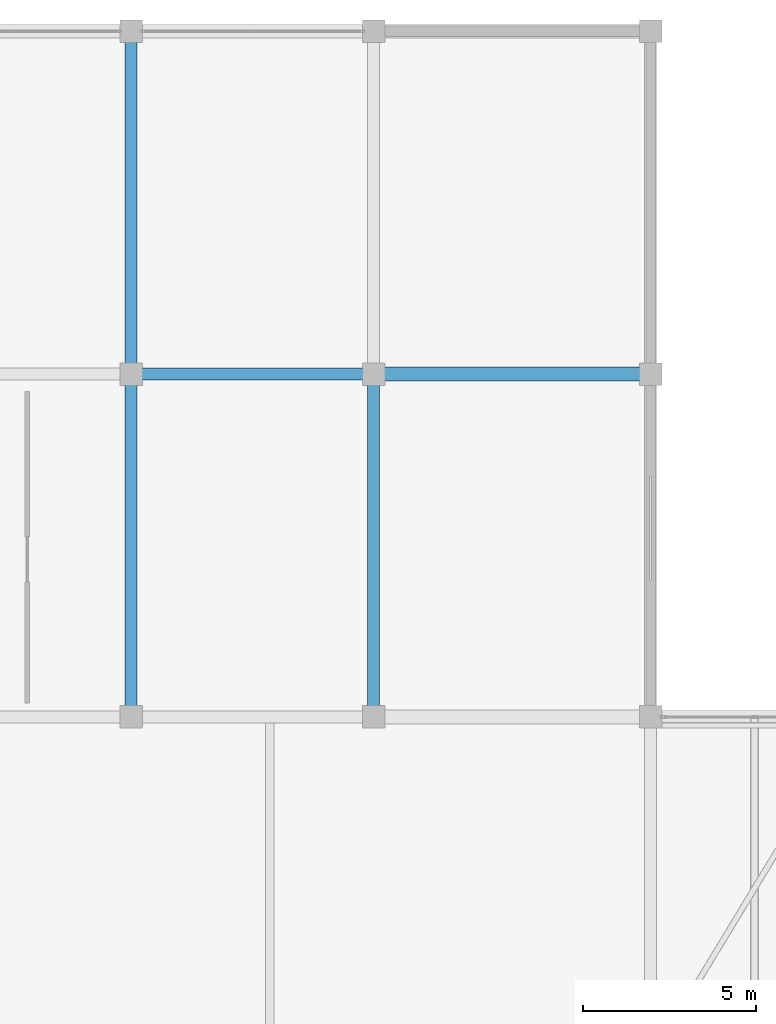
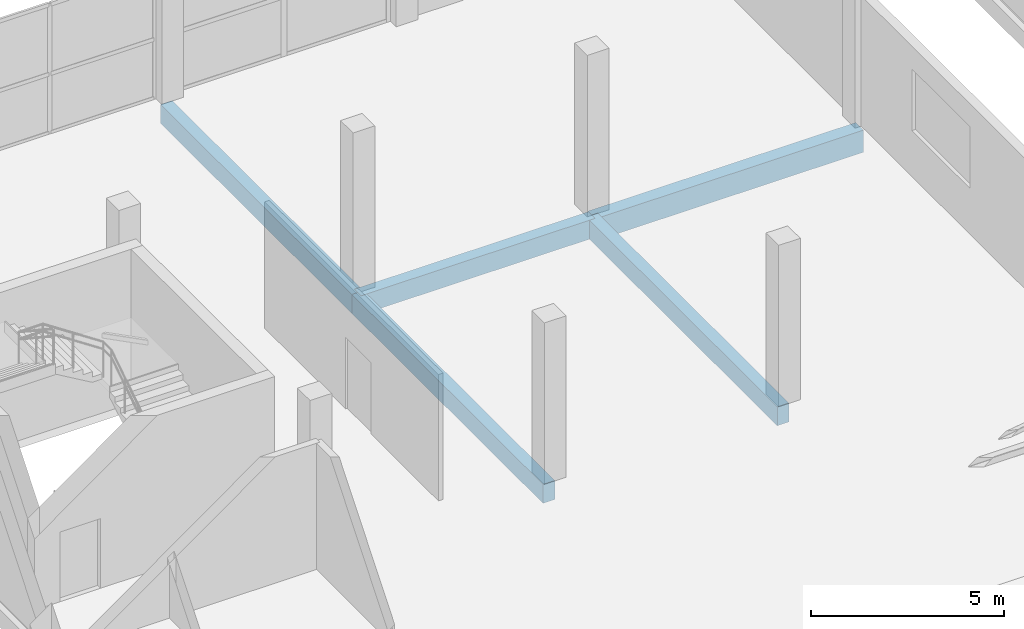
# One storey, part 41 of 66: 5 beams.
"""IFC4 building model written with IfcOpenShell, lengths in metres."""

from ifc_helpers import new_model, si_unit, direction, frame, origin, origin_2d, place, context, subcontext, project, spatial, rectangle, extrude, material, material_profile, profile_set, type_object, element, save


model = new_model("IFC4")

# Units and contexts
model_context = context("Model", 3, precision=1e-05, world=origin(), true_north=direction((0.0, 1.0)))
body_context = subcontext(model_context, "Body", "Model", "MODEL_VIEW")
ifc_project = project(units=[si_unit("LENGTHUNIT", "METRE"), si_unit("AREAUNIT", "SQUARE_METRE"), si_unit("VOLUMEUNIT", "CUBIC_METRE"), si_unit("PLANEANGLEUNIT", "RADIAN"), si_unit("MASSUNIT", "GRAM", prefix="KILO")], contexts=[model_context])

# Site, building, storey
site_placement = place(None, origin())
site = spatial("IfcSite", under=ifc_project, at=site_placement, CompositionType="ELEMENT")
building_placement = place(site_placement, origin())
building = spatial("IfcBuilding", under=site, at=building_placement, Name="Sillaruma Civic Art Gallery", CompositionType="ELEMENT")
storey_placement = place(building_placement, frame((0.0, 0.0, 57.1201171875)))
storey = spatial("IfcBuildingStorey", under=building, at=storey_placement, Name="L11", CompositionType="ELEMENT", Elevation=57.1201171875)

# Beams
ifc_material = material(Name="Concrete H35 (35 MPa)", Category="concrete")
ifc_material_profile_1 = material_profile(ifc_material, rectangle(XDim=0.35009765625, YDim=0.60009765625, at=origin_2d()), Name="RCB350x600")
ifc_profile_set_1 = profile_set([ifc_material_profile_1], Name="Concrete H35 (35 MPa)")
beam_type_1 = type_object("IfcBeamType", Name="BM-BEAM-RCB350x600", PredefinedType="BEAM", material=ifc_profile_set_1)
beam_1_placement = place(storey_placement, frame((77.0, 89.10009765625, -0.550048828125), z_axis=(1.0, 0.0, 0.0), x_axis=(0.0, 1.0, 0.0)))
element("IfcBeam", 1, at=beam_1_placement, inside=storey, type_object=beam_type_1, Name="Beam BM-06 (L10:10:H-J)", PredefinedType="BEAM", context=body_context, shape_type="SweptSolid", body=[
    extrude(rectangle(XDim=0.35009765625, YDim=0.60009765625, at=origin_2d()), origin(), (0.0, 0.0, 1.0), 7.0),
])
beam_2_placement = place(storey_placement, frame((77.0, 79.199951171875, -0.550048828125), z_axis=(0.0, 1.0, 0.0), x_axis=(-1.0, 0.0, 0.0)))
element("IfcBeam", 2, at=beam_2_placement, inside=storey, type_object=beam_type_1, Name="Beam BM-06 (L10:H:9-10)", PredefinedType="BEAM", context=body_context, shape_type="SweptSolid", body=[
    extrude(rectangle(XDim=0.35009765625, YDim=0.60009765625, at=origin_2d()), origin(), (0.0, 0.0, 1.0), 9.900146484375),
])
beam_3_placement = place(storey_placement, frame((77.0, 89.10009765625, -0.550048828125), z_axis=(0.0, 1.0, 0.0), x_axis=(-1.0, 0.0, 0.0)))
element("IfcBeam", 3, at=beam_3_placement, inside=storey, type_object=beam_type_1, Name="Beam BM-06 (L10:H:10-11)", PredefinedType="BEAM", context=body_context, shape_type="SweptSolid", body=[
    extrude(rectangle(XDim=0.35009765625, YDim=0.60009765625, at=origin_2d()), origin(), (0.0, 0.0, 1.0), 9.89990234375),
])
beam_4_placement = place(storey_placement, frame((84.0, 79.199951171875, -0.550048828125), z_axis=(0.0, 1.0, 0.0), x_axis=(-1.0, 0.0, 0.0)))
element("IfcBeam", 4, at=beam_4_placement, inside=storey, type_object=beam_type_1, Name="Beam BM-06 (L10:J:9-10)", PredefinedType="BEAM", context=body_context, shape_type="SweptSolid", body=[
    extrude(rectangle(XDim=0.35009765625, YDim=0.60009765625, at=origin_2d()), origin(), (0.0, 0.0, 1.0), 9.900146484375),
])
ifc_material_profile_2 = material_profile(ifc_material, rectangle(XDim=0.39990234375, YDim=0.699951171875, at=origin_2d()), Name="RCB400x700")
ifc_profile_set_2 = profile_set([ifc_material_profile_2], Name="Concrete H35 (35 MPa)")
beam_type_2 = type_object("IfcBeamType", Name="BM-BEAM-RCB400x700", PredefinedType="BEAM", material=ifc_profile_set_2)
beam_5_placement = place(storey_placement, frame((84.0, 89.10009765625, -0.60009765625), z_axis=(1.0, 0.0, 0.0), x_axis=(0.0, 1.0, 0.0)))
element("IfcBeam", 5, at=beam_5_placement, inside=storey, type_object=beam_type_2, Name="Beam BM-04 (L10:10:J-K)", PredefinedType="BEAM", context=body_context, shape_type="SweptSolid", body=[
    extrude(rectangle(XDim=0.39990234375, YDim=0.699951171875, at=origin_2d()), origin(), (0.0, 0.0, 1.0), 8.0),
])

save(model, "model.ifc")
